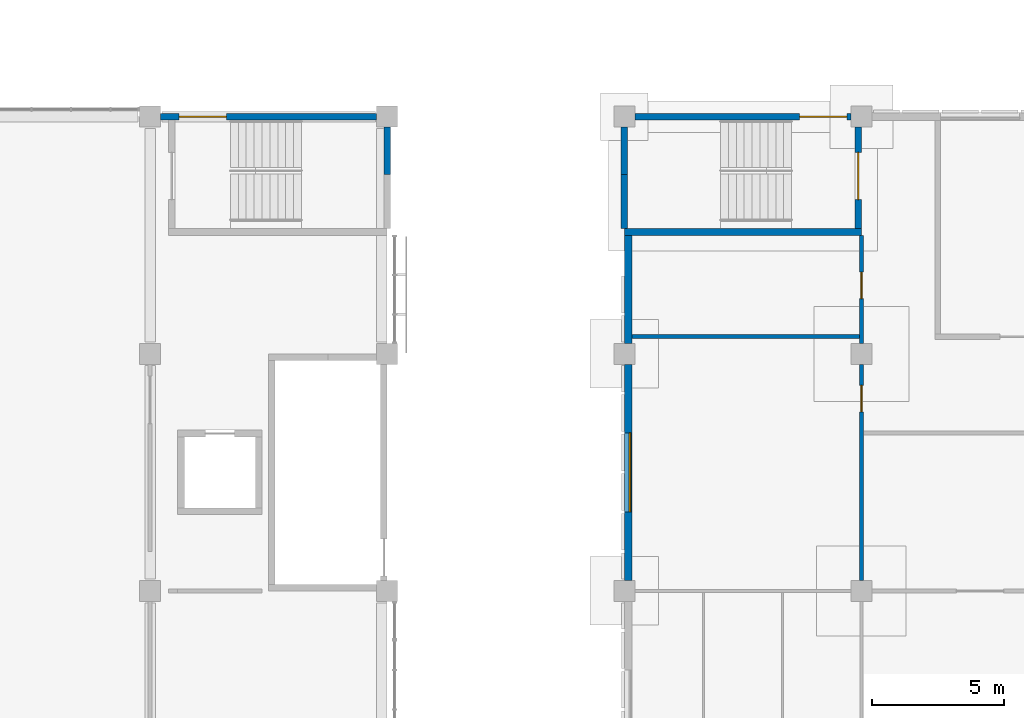
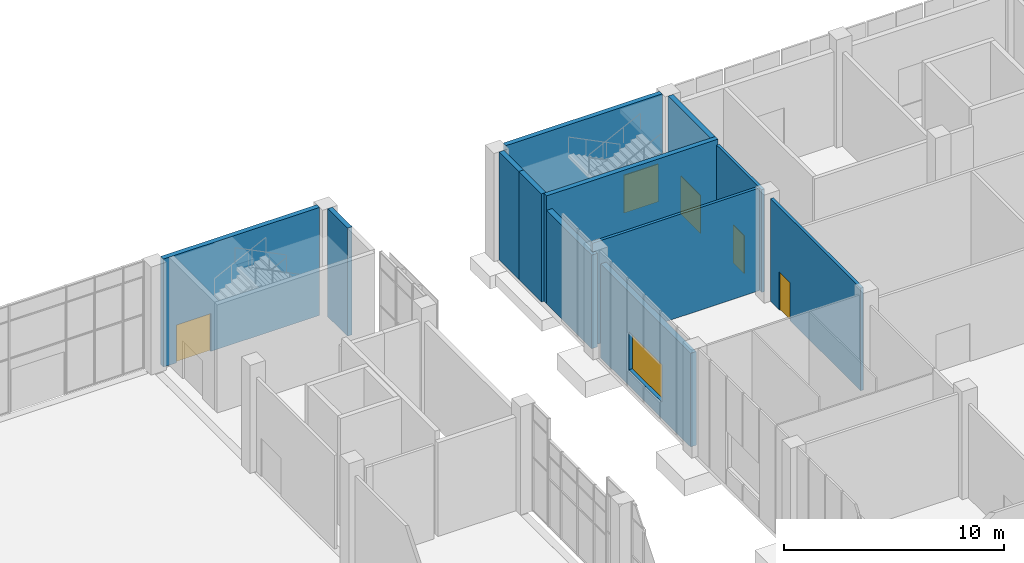
# One storey, part 58 of 86: 12 walls, 5 doors, 1 window, 6 openings.
"""IFC4 building model written with IfcOpenShell, lengths in metres."""

from ifc_helpers import new_model, si_unit, direction, frame, frame_2d, origin, place, context, subcontext, project, spatial, rectangle, extrude, material, layer, layer_set, type_object, element, fill, save


model = new_model("IFC4")

# Units and contexts
model_context = context("Model", 3, precision=1e-05, world=origin(), true_north=direction((0.0, 1.0)))
body_context = subcontext(model_context, "Body", "Model", "MODEL_VIEW")
ifc_project = project(units=[si_unit("LENGTHUNIT", "METRE"), si_unit("AREAUNIT", "SQUARE_METRE"), si_unit("VOLUMEUNIT", "CUBIC_METRE"), si_unit("PLANEANGLEUNIT", "RADIAN"), si_unit("MASSUNIT", "GRAM", prefix="KILO")], contexts=[model_context])

# Site, building, storey
site_placement = place(None, origin())
site = spatial("IfcSite", under=ifc_project, at=site_placement, CompositionType="ELEMENT")
building_placement = place(site_placement, origin())
building = spatial("IfcBuilding", under=site, at=building_placement, Name="Guidao Yard Department Store", CompositionType="ELEMENT")
storey_placement = place(building_placement, origin())
storey = spatial("IfcBuildingStorey", under=building, at=storey_placement, Name="L00", CompositionType="ELEMENT", Elevation=0.0)

# Wall, opening, window
ifc_material_1 = material(Name="Concrete C30", Category="concrete")
ifc_layer_1 = layer(ifc_material_1, 0.300048828125)
ifc_layer_set_1 = layer_set([ifc_layer_1], Name="Food hall wall 300 C30")
wall_type_1 = type_object("IfcWallType", Name="Food hall wall 300 C30", PredefinedType="SOLIDWALL", material=ifc_layer_set_1)
wall_1_placement = place(storey_placement, frame((117.14990234375, 90.39990234375, 0.0), z_axis=(0.0, 0.0, 1.0), x_axis=(0.0, 1.0, 0.0)))
wall_1 = element("IfcWall", 1, at=wall_1_placement, inside=storey, type_object=wall_type_1, Name="Food hall wall", PredefinedType="SOLIDWALL", context=body_context, shape_type="SweptSolid", body=[
    extrude(rectangle(XDim=8.2001953125, YDim=0.300048828125, at=frame_2d((4.10009765625, 0.0))), origin(), (0.0, 0.0, 1.0), 5.199951171875),
])
opening_1_placement = place(wall_1_placement, frame((2.60009765625, 0.0, 0.89990234375)))
opening_1 = element("IfcOpeningElement", 2, at=opening_1_placement, cuts=wall_1, Name="Opening WN-L00-E15", PredefinedType="OPENING", context=body_context, shape_type="SweptSolid", body=[
    extrude(rectangle(XDim=3.0, YDim=2.10009765625, at=frame_2d((1.5, 1.050048828125))), frame((0.0, 0.159912109375, 0.0), z_axis=(0.0, -1.0, 0.0), x_axis=(1.0, 0.0, 0.0)), (0.0, 0.0, 1.0), 0.320068359375),
])
ifc_material_2 = material(Name="Laminated glass in aluminium frame", Category="aluminium")
window_type = type_object("IfcWindowType", Name="Punched window PW2 3000 x 2100 fixed", PartitioningType="SINGLE_PANEL", PredefinedType="WINDOW", material=ifc_material_2)
window_placement = place(opening_1_placement, origin())
window = element("IfcWindow", 3, at=window_placement, inside=storey, type_object=window_type, Name="Punched window", OverallHeight=2.10009765625, OverallWidth=3.0, PartitioningType="SINGLE_PANEL", PredefinedType="WINDOW", context=body_context, shape_type="SweptSolid", body=[
    extrude(rectangle(XDim=3.0, YDim=2.10009765625, at=frame_2d((1.5, 1.050048828125))), frame((0.0, -0.030029296875, 0.0), z_axis=(0.0, -1.0, 0.0), x_axis=(1.0, 0.0, 0.0)), (0.0, 0.0, 1.0), 0.06005859375),
])
fill(opening_1, window)

# Wall
wall_2_placement = place(storey_placement, frame((117.14990234375, 99.39990234375, 0.0), z_axis=(0.0, 0.0, 1.0), x_axis=(0.0, 1.0, 0.0)))
element("IfcWall", 4, at=wall_2_placement, inside=storey, type_object=wall_type_1, Name="Food hall wall", PredefinedType="SOLIDWALL", context=body_context, shape_type="SweptSolid", body=[
    extrude(rectangle(XDim=4.10009765625, YDim=0.300048828125, at=frame_2d((2.050048828125, 0.0))), origin(), (0.0, 0.0, 1.0), 5.199951171875),
])

# Wall, opening, door
ifc_material_3 = material(Name="Concrete block MU10", Category="concrete")
ifc_layer_2 = layer(ifc_material_3, 0.14990234375)
ifc_layer_set_2 = layer_set([ifc_layer_2], Name="Wall F2 150 mm blockwork EI 60")
wall_type_2 = type_object("IfcWallType", Name="Wall F2 150 mm blockwork EI 60", PredefinedType="PARTITIONING", material=ifc_layer_set_2)
wall_3_placement = place(storey_placement, frame((126.0, 90.39990234375, 0.0), z_axis=(0.0, 0.0, 1.0), x_axis=(0.0, 1.0, 0.0)))
wall_3 = element("IfcWall", 5, at=wall_3_placement, inside=storey, type_object=wall_type_2, Name="Wall W-L00-3037", PredefinedType="PARTITIONING", context=body_context, shape_type="SweptSolid", body=[
    extrude(rectangle(XDim=8.2001953125, YDim=0.14990234375, at=frame_2d((4.10009765625, 0.0))), origin(), (0.0, 0.0, 1.0), 5.699951171875),
])
opening_2_placement = place(wall_3_placement, frame((6.39990234375, 0.0, 0.0)))
opening_2 = element("IfcOpeningElement", 6, at=opening_2_placement, cuts=wall_3, Name="Opening L00-324", PredefinedType="OPENING", context=body_context, shape_type="SweptSolid", body=[
    extrude(rectangle(XDim=1.0, YDim=2.10009765625, at=frame_2d((0.5, 1.050048828125))), frame((0.0, 0.0849609375, 0.0), z_axis=(0.0, -1.0, 0.0), x_axis=(1.0, 0.0, 0.0)), (0.0, 0.0, 1.0), 0.169921875),
])
ifc_material_4 = material(Name="Timber door leaf", Category="wood")
door_type_1 = type_object("IfcDoorType", Name="Door FN1 1000 x 2100", OperationType="SINGLE_SWING_LEFT", PredefinedType="DOOR", material=ifc_material_4)
door_1_placement = place(opening_2_placement, origin())
door_1 = element("IfcDoor", 7, at=door_1_placement, inside=storey, type_object=door_type_1, Name="Door L00-324", OperationType="SINGLE_SWING_RIGHT", OverallHeight=2.10009765625, OverallWidth=1.0, PredefinedType="DOOR", context=body_context, shape_type="SweptSolid", body=[
    extrude(rectangle(XDim=1.0, YDim=2.10009765625, at=frame_2d((0.5, 1.050048828125))), frame((0.0, 0.02490234375, 0.0), z_axis=(0.0, -1.0, 0.0), x_axis=(1.0, 0.0, 0.0)), (0.0, 0.0, 1.0), 0.050048828125),
])
fill(opening_2, door_1)

wall_4_placement = place(storey_placement, frame((126.0, 99.39990234375, 0.0), z_axis=(0.0, 0.0, 1.0), x_axis=(0.0, 1.0, 0.0)))
wall_4 = element("IfcWall", 8, at=wall_4_placement, inside=storey, type_object=wall_type_2, Name="Wall W-L00-3045", PredefinedType="PARTITIONING", context=body_context, shape_type="SweptSolid", body=[
    extrude(rectangle(XDim=4.10009765625, YDim=0.14990234375, at=frame_2d((2.050048828125, 0.0))), origin(), (0.0, 0.0, 1.0), 5.699951171875),
])
opening_3_placement = place(wall_4_placement, frame((1.699951171875, 0.0, 0.0)))
opening_3 = element("IfcOpeningElement", 9, at=opening_3_placement, cuts=wall_4, Name="Opening L00-329", PredefinedType="OPENING", context=body_context, shape_type="SweptSolid", body=[
    extrude(rectangle(XDim=1.0, YDim=2.10009765625, at=frame_2d((0.5, 1.050048828125))), frame((0.0, 0.0849609375, 0.0), z_axis=(0.0, -1.0, 0.0), x_axis=(1.0, 0.0, 0.0)), (0.0, 0.0, 1.0), 0.169921875),
])
door_2_placement = place(opening_3_placement, origin())
door_2 = element("IfcDoor", 10, at=door_2_placement, inside=storey, type_object=door_type_1, Name="Door L00-329", OperationType="SINGLE_SWING_RIGHT", OverallHeight=2.10009765625, OverallWidth=1.0, PredefinedType="DOOR", context=body_context, shape_type="SweptSolid", body=[
    extrude(rectangle(XDim=1.0, YDim=2.10009765625, at=frame_2d((0.5, 1.050048828125))), frame((0.0, 0.02490234375, 0.0), z_axis=(0.0, -1.0, 0.0), x_axis=(1.0, 0.0, 0.0)), (0.0, 0.0, 1.0), 0.050048828125),
])
fill(opening_3, door_2)

# Walls
wall_5_placement = place(storey_placement, frame((117.14990234375, 99.64990234375, 0.0), z_axis=(0.0, 0.0, 1.0), x_axis=(1.0, 0.0, 0.0)))
element("IfcWall", 11, at=wall_5_placement, inside=storey, type_object=wall_type_2, Name="Wall W-L00-3050", PredefinedType="PARTITIONING", context=body_context, shape_type="SweptSolid", body=[
    extrude(rectangle(XDim=8.775146484375, YDim=0.14990234375, at=frame_2d((4.3876953125, 0.0))), origin(), (0.0, 0.0, 1.0), 5.699951171875),
])
ifc_material_5 = material(Name="Concrete C40", Category="concrete")
ifc_layer_3 = layer(ifc_material_5, 0.25)
ifc_layer_set_3 = layer_set([ifc_layer_3], Name="Wall RC 250 C40 stair and shaft")
wall_type_3 = type_object("IfcWallType", Name="Wall RC 250 C40 stair and shaft", PredefinedType="SHEAR", material=ifc_layer_set_3)
wall_6_placement = place(storey_placement, frame((117.0, 103.625, 0.0), z_axis=(0.0, 0.0, 1.0), x_axis=(1.0, 0.0, 0.0)))
element("IfcWall", 12, at=wall_6_placement, inside=storey, type_object=wall_type_3, Name="Stair wall SF3", PredefinedType="SHEAR", context=body_context, shape_type="SweptSolid", body=[
    extrude(rectangle(XDim=9.0, YDim=0.25, at=frame_2d((4.5, 0.0))), origin(), (0.0, 0.0, 1.0), 6.0),
])

# Wall, opening, door
wall_7_placement = place(storey_placement, frame((117.39990234375, 108.0, 0.0), z_axis=(0.0, 0.0, 1.0), x_axis=(1.0, 0.0, 0.0)))
wall_7 = element("IfcWall", 13, at=wall_7_placement, inside=storey, type_object=wall_type_3, Name="Stair wall SF3", PredefinedType="SHEAR", context=body_context, shape_type="SweptSolid", body=[
    extrude(rectangle(XDim=8.2001953125, YDim=0.25, at=frame_2d((4.10009765625, 0.0))), origin(), (0.0, 0.0, 1.0), 6.0),
])
opening_4_placement = place(wall_7_placement, frame((6.25, 0.0, 0.0)))
opening_4 = element("IfcOpeningElement", 14, at=opening_4_placement, cuts=wall_7, Name="Opening L00-829", PredefinedType="OPENING", context=body_context, shape_type="SweptSolid", body=[
    extrude(rectangle(XDim=1.800048828125, YDim=2.10009765625, at=frame_2d((0.89990234375, 1.050048828125))), frame((0.0, 0.135009765625, 0.0), z_axis=(0.0, -1.0, 0.0), x_axis=(1.0, 0.0, 0.0)), (0.0, 0.0, 1.0), 0.27001953125),
])
ifc_material_6 = material(Name="Steel Q235", Category="steel")
door_type_2 = type_object("IfcDoorType", Name="Door fire-resisting 1800 x 2100 FD60", OperationType="DOUBLE_DOOR_SINGLE_SWING", PredefinedType="DOOR", material=ifc_material_6)
door_3_placement = place(opening_4_placement, origin())
door_3 = element("IfcDoor", 15, at=door_3_placement, inside=storey, type_object=door_type_2, Name="Stair F3 door L00 discharge", OperationType="DOUBLE_DOOR_SINGLE_SWING", OverallHeight=2.10009765625, OverallWidth=1.800048828125, PredefinedType="DOOR", context=body_context, shape_type="SweptSolid", body=[
    extrude(rectangle(XDim=1.800048828125, YDim=2.10009765625, at=frame_2d((0.89990234375, 1.050048828125))), frame((0.0, 0.02490234375, 0.0), z_axis=(0.0, -1.0, 0.0), x_axis=(1.0, 0.0, 0.0)), (0.0, 0.0, 1.0), 0.050048828125),
])
fill(opening_4, door_3)

# Walls
wall_8_placement = place(storey_placement, frame((117.0, 103.75, 0.0), z_axis=(0.0, 0.0, 1.0), x_axis=(0.0, 1.0, 0.0)))
element("IfcWall", 16, at=wall_8_placement, inside=storey, type_object=wall_type_3, Name="Stair wall SF3", PredefinedType="SHEAR", context=body_context, shape_type="SweptSolid", body=[
    extrude(rectangle(XDim=2.06201171875, YDim=0.25, at=frame_2d((1.031005859375, 0.0))), origin(), (0.0, 0.0, 1.0), 6.0),
])
wall_9_placement = place(storey_placement, frame((117.0, 105.81201171875, 0.0), z_axis=(0.0, 0.0, 1.0), x_axis=(0.0, 1.0, 0.0)))
element("IfcWall", 17, at=wall_9_placement, inside=storey, type_object=wall_type_3, Name="Stair wall SF3", PredefinedType="SHEAR", context=body_context, shape_type="SweptSolid", body=[
    extrude(rectangle(XDim=1.7880859375, YDim=0.25, at=frame_2d((0.89404296875, 0.0))), origin(), (0.0, 0.0, 1.0), 6.0),
])

# Wall, opening, door
wall_10_placement = place(storey_placement, frame((125.875, 103.75, 0.0), z_axis=(0.0, 0.0, 1.0), x_axis=(0.0, 1.0, 0.0)))
wall_10 = element("IfcWall", 18, at=wall_10_placement, inside=storey, type_object=wall_type_3, Name="Stair wall SF3", PredefinedType="SHEAR", context=body_context, shape_type="SweptSolid", body=[
    extrude(rectangle(XDim=3.85009765625, YDim=0.25, at=frame_2d((1.925048828125, 0.0))), origin(), (0.0, 0.0, 1.0), 6.0),
])
opening_5_placement = place(wall_10_placement, frame((1.10009765625, 0.0, 0.0)))
opening_5 = element("IfcOpeningElement", 19, at=opening_5_placement, cuts=wall_10, Name="Opening L00-828", PredefinedType="OPENING", context=body_context, shape_type="SweptSolid", body=[
    extrude(rectangle(XDim=1.800048828125, YDim=2.10009765625, at=frame_2d((0.89990234375, 1.050048828125))), frame((0.0, 0.135009765625, 0.0), z_axis=(0.0, -1.0, 0.0), x_axis=(1.0, 0.0, 0.0)), (0.0, 0.0, 1.0), 0.27001953125),
])
door_4_placement = place(opening_5_placement, origin())
door_4 = element("IfcDoor", 20, at=door_4_placement, inside=storey, type_object=door_type_2, Name="Stair F3 door L00", OperationType="DOUBLE_DOOR_SINGLE_SWING", OverallHeight=2.10009765625, OverallWidth=1.800048828125, PredefinedType="DOOR", context=body_context, shape_type="SweptSolid", body=[
    extrude(rectangle(XDim=1.800048828125, YDim=2.10009765625, at=frame_2d((0.89990234375, 1.050048828125))), frame((0.0, 0.02490234375, 0.0), z_axis=(0.0, -1.0, 0.0), x_axis=(1.0, 0.0, 0.0)), (0.0, 0.0, 1.0), 0.050048828125),
])
fill(opening_5, door_4)

wall_11_placement = place(storey_placement, frame((99.39990234375, 108.0, 0.0), z_axis=(0.0, 0.0, 1.0), x_axis=(1.0, 0.0, 0.0)))
wall_11 = element("IfcWall", 21, at=wall_11_placement, inside=storey, type_object=wall_type_3, Name="Stair wall SG4", PredefinedType="SHEAR", context=body_context, shape_type="SweptSolid", body=[
    extrude(rectangle(XDim=8.2001953125, YDim=0.25, at=frame_2d((4.10009765625, 0.0))), origin(), (0.0, 0.0, 1.0), 6.0),
])
opening_6_placement = place(wall_11_placement, frame((0.699951171875, 0.0, 0.0)))
opening_6 = element("IfcOpeningElement", 22, at=opening_6_placement, cuts=wall_11, Name="Opening L00-837", PredefinedType="OPENING", context=body_context, shape_type="SweptSolid", body=[
    extrude(rectangle(XDim=1.800048828125, YDim=2.10009765625, at=frame_2d((0.89990234375, 1.050048828125))), frame((0.0, 0.135009765625, 0.0), z_axis=(0.0, -1.0, 0.0), x_axis=(1.0, 0.0, 0.0)), (0.0, 0.0, 1.0), 0.27001953125),
])
door_5_placement = place(opening_6_placement, origin())
door_5 = element("IfcDoor", 23, at=door_5_placement, inside=storey, type_object=door_type_2, Name="Stair G4 door L00 discharge", OperationType="DOUBLE_DOOR_SINGLE_SWING", OverallHeight=2.10009765625, OverallWidth=1.800048828125, PredefinedType="DOOR", context=body_context, shape_type="SweptSolid", body=[
    extrude(rectangle(XDim=1.800048828125, YDim=2.10009765625, at=frame_2d((0.89990234375, 1.050048828125))), frame((0.0, 0.02490234375, 0.0), z_axis=(0.0, -1.0, 0.0), x_axis=(1.0, 0.0, 0.0)), (0.0, 0.0, 1.0), 0.050048828125),
])
fill(opening_6, door_5)

# Wall
wall_12_placement = place(storey_placement, frame((108.0, 105.81201171875, 0.0), z_axis=(0.0, 0.0, 1.0), x_axis=(0.0, 1.0, 0.0)))
element("IfcWall", 24, at=wall_12_placement, inside=storey, type_object=wall_type_3, Name="Stair wall SG4", PredefinedType="SHEAR", context=body_context, shape_type="SweptSolid", body=[
    extrude(rectangle(XDim=1.7880859375, YDim=0.25, at=frame_2d((0.89404296875, 0.0))), origin(), (0.0, 0.0, 1.0), 6.0),
])

save(model, "model.ifc")
